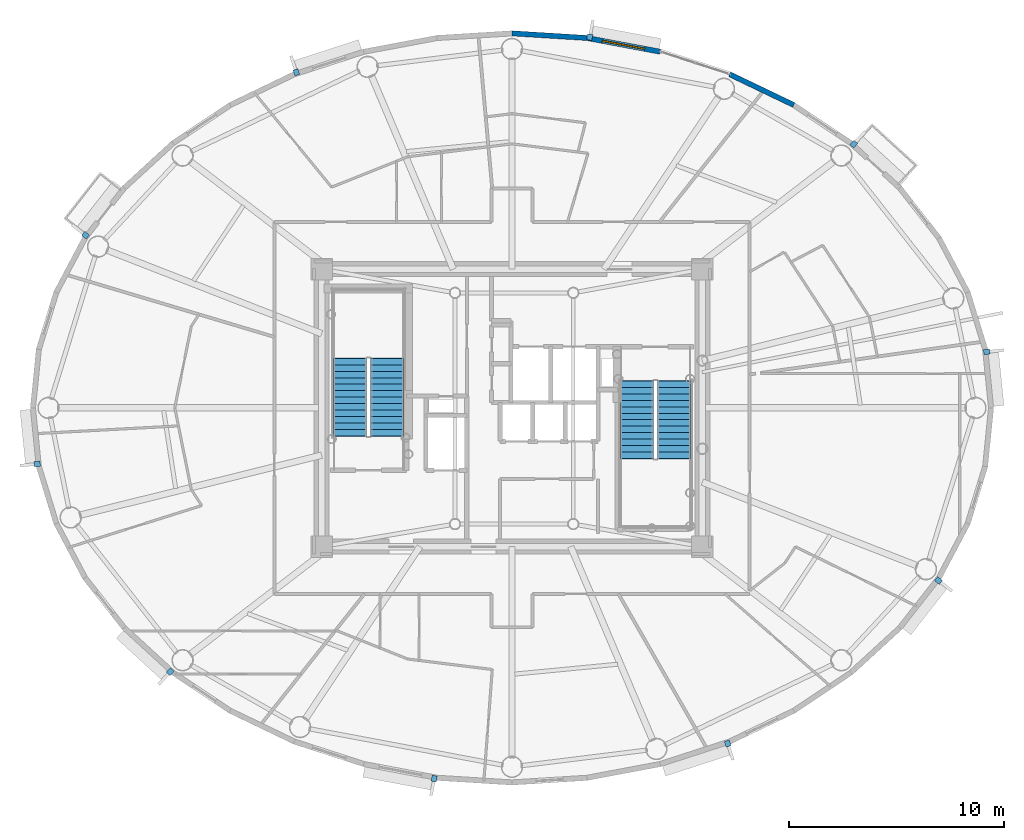
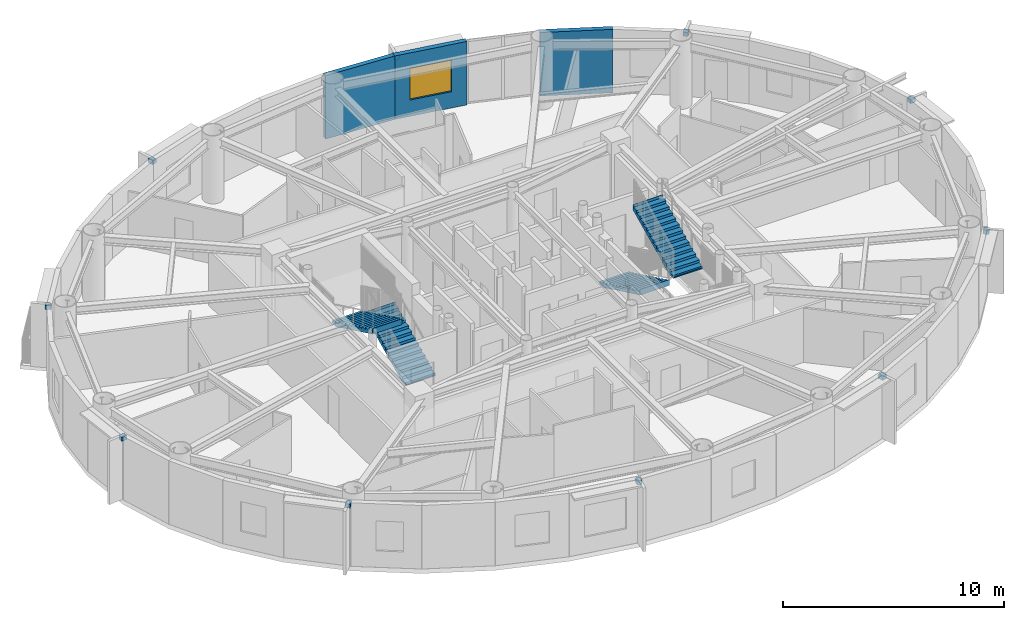
# One storey, part 10 of 17: 10 discrete accessories, 4 stair flights, 3 walls, 1 window, 1 opening, 2 elements without a shape of their own.
"""IFC4 building model written with IfcOpenShell, lengths in metres."""

from ifc_helpers import new_model, si_unit, direction, frame, frame_2d, origin, origin_2d, place, context, subcontext, project, spatial, polyline, rectangle, outline, extrude, source, transform, mapped, material, layer, layer_set, type_object, element, fill, aggregate, save


model = new_model("IFC4")

# Units and contexts
model_context = context("Model", 3, precision=1e-05, world=origin(), true_north=direction((0.0, 1.0)))
body_context = subcontext(model_context, "Body", "Model", "MODEL_VIEW")
ifc_project = project(units=[si_unit("LENGTHUNIT", "METRE"), si_unit("AREAUNIT", "SQUARE_METRE"), si_unit("VOLUMEUNIT", "CUBIC_METRE"), si_unit("PLANEANGLEUNIT", "RADIAN"), si_unit("MASSUNIT", "GRAM", prefix="KILO")], contexts=[model_context])

# Site, building, storey
site_placement = place(None, origin())
site = spatial("IfcSite", under=ifc_project, at=site_placement, CompositionType="ELEMENT")
building_placement = place(site_placement, origin())
building = spatial("IfcBuilding", under=site, at=building_placement, Name="Linh Dai School and Residence Tower", CompositionType="ELEMENT")
storey_placement = place(building_placement, frame((0.0, 0.0, 276.75)))
storey = spatial("IfcBuildingStorey", under=building, at=storey_placement, Name="L68", CompositionType="ELEMENT", Elevation=276.75)

# Wall
ifc_material_1 = material(Name="Precast Concrete B45 (C35/45)", Category="concrete")
ifc_layer = layer(ifc_material_1, 0.239990234375)
ifc_layer_set = layer_set([ifc_layer], Name="Precast Concrete B45 (C35/45)")
wall_type = type_object("IfcWallType", Name="EW-TC-240", PredefinedType="SOLIDWALL", material=ifc_layer_set)
wall_1_placement = place(storey_placement, frame((46.123046875, 42.51220703125, 0.0), z_axis=(0.0, 0.0, 1.0), x_axis=(0.901573741254, -0.43262546051, 0.0)))
element("IfcWall", 1, at=wall_1_placement, inside=storey, type_object=wall_type, Name="L68 Terracotta Exterior Wall 07", PredefinedType="SOLIDWALL", context=body_context, shape_type="SweptSolid", body=[
    extrude(rectangle(XDim=3.306884765625, YDim=0.239990234375, at=frame_2d((1.6533203125, 0.0))), origin(), (0.0, 0.0, 1.0), 3.5),
])

# Wall, opening, window
wall_2_placement = place(storey_placement, frame((39.48876953125, 44.199951171875, 0.0), z_axis=(0.0, 0.0, 1.0), x_axis=(0.982782655757, -0.184765395959, 0.0)))
wall_2 = element("IfcWall", 2, at=wall_2_placement, inside=storey, type_object=wall_type, Name="L68 Terracotta Exterior Wall 09", PredefinedType="SOLIDWALL", context=body_context, shape_type="SweptSolid", body=[
    extrude(rectangle(XDim=3.4619140625, YDim=0.239990234375, at=frame_2d((1.73095703125, 0.0))), origin(), (0.0, 0.0, 1.0), 3.5),
])
opening_placement = place(wall_2_placement, frame((0.73095703125, 0.0, 0.89990234375)))
opening = element("IfcOpeningElement", 3, at=opening_placement, cuts=wall_2, Name="Opening W1", PredefinedType="OPENING", context=body_context, shape_type="SweptSolid", body=[
    extrude(rectangle(XDim=2.0, YDim=1.75, at=origin_2d()), frame((1.0, 0.1298828125, 0.875), z_axis=(0.0, -1.0, 0.0), x_axis=(1.0, 0.0, 0.0)), (0.0, 0.0, 1.0), 0.260009765625),
])
ifc_material_2 = material(Name="Double Low-E Insulated Glazing", Category="glass")
window_type = type_object("IfcWindowType", Name="WN-RES-2000x1750", PartitioningType="DOUBLE_PANEL_VERTICAL", PredefinedType="WINDOW", material=ifc_material_2)
shared_shape_1 = source(origin(), body_context, "Body", "SweptSolid", [
    extrude(rectangle(XDim=2.0, YDim=1.75, at=origin_2d()), frame((1.0, 0.030029296875, 0.875), z_axis=(0.0, -1.0, 0.0), x_axis=(1.0, 0.0, 0.0)), (0.0, 0.0, 1.0), 0.06005859375),
])
window_placement = place(opening_placement, origin())
window = element("IfcWindow", 4, at=window_placement, inside=storey, type_object=window_type, Name="L68 Exterior Window 09.1", OverallHeight=1.75, OverallWidth=2.0, PartitioningType="DOUBLE_PANEL_VERTICAL", PredefinedType="WINDOW", context=body_context, shape_type="MappedRepresentation", body=[
    mapped(shared_shape_1, transform((0.0, 0.0, 0.0), x_axis=(1.0, 0.0, 0.0), y_axis=(0.0, 1.0, 0.0), z_axis=(0.0, 0.0, 1.0), scale=1.0)),
])
fill(opening, window)

# Wall
wall_3_placement = place(storey_placement, frame((36.0, 44.4150390625, 0.0), z_axis=(0.0, 0.0, 1.0), x_axis=(0.998104946479, -0.061534671648, 0.0)))
element("IfcWall", 5, at=wall_3_placement, inside=storey, type_object=wall_type, Name="L68 Terracotta Exterior Wall 10", PredefinedType="SOLIDWALL", context=body_context, shape_type="SweptSolid", body=[
    extrude(rectangle(XDim=3.495361328125, YDim=0.239990234375, at=frame_2d((1.74755859375, 0.0))), origin(), (0.0, 0.0, 1.0), 3.5),
])

# Stair, stair flights
ifc_material_3 = material(Name="Concrete B45 (C35/45)", Category="concrete")
stair_type = type_object("IfcStairType", Name="ST-DOG-1550-R1442", PredefinedType="HALF_TURN_STAIR", material=ifc_material_3)
stair_1_placement = place(storey_placement, origin())
stair_1 = element("IfcStair", 6, at=stair_1_placement, inside=storey, type_object=stair_type, Name="L68 Core Smokeproof Exit Stair ST1", PredefinedType="HALF_TURN_STAIR")
stair_flight_type = type_object("IfcStairFlightType", Name="STF-STR-1550-R1442", PredefinedType="STRAIGHT", material=ifc_material_3)
shared_shape_2 = source(origin(), body_context, "Body", "SweptSolid", [
    extrude(outline(polyline([(-0.02490234375, 0.0), (-0.02490234375, 0.06005859375), (0.0, 0.06005859375), (0.0, 0.144287109375), (0.300048828125, 0.144287109375), (0.300048828125, 0.28857421875), (0.60009765625, 0.28857421875), (0.60009765625, 0.4326171875), (0.89990234375, 0.4326171875), (0.89990234375, 0.576904296875), (1.199951171875, 0.576904296875), (1.199951171875, 0.72119140625), (1.5, 0.72119140625), (1.5, 0.865478515625), (1.800048828125, 0.865478515625), (1.800048828125, 1.009521484375), (2.10009765625, 1.009521484375), (2.10009765625, 1.15380859375), (2.39990234375, 1.15380859375), (2.39990234375, 1.298095703125), (2.699951171875, 1.298095703125), (2.699951171875, 1.4423828125), (3.0, 1.4423828125), (3.0, 1.58642578125), (3.300048828125, 1.58642578125), (3.300048828125, 1.730712890625), (3.60009765625, 1.730712890625), (3.60009765625, 1.875), (3.625, 1.875), (3.625, 1.564453125), (3.60009765625, 1.564453125), (0.345947265625, 0.0), (-0.02490234375, 0.0)])), frame((0.0, 0.77490234375, 0.0), z_axis=(0.0, -1.0, 0.0), x_axis=(1.0, 0.0, 0.0)), (0.0, 0.0, 1.0), 1.550048828125),
])
stair_flight_1_placement = place(storey_placement, frame((30.205078125, 25.699951171875, 0.0), z_axis=(0.0, 0.0, 1.0), x_axis=(0.0, 1.0, 0.0)))
stair_flight_1 = element("IfcStairFlight", 7, at=stair_flight_1_placement, type_object=stair_flight_type, Name="ST1 flight 1", NumberOfRisers=13, NumberOfTreads=12, PredefinedType="STRAIGHT", RiserHeight=0.144230769, TreadLength=0.3, context=body_context, shape_type="MappedRepresentation", body=[
    mapped(shared_shape_2, transform((0.0, 0.0, 0.0), x_axis=(1.0, 0.0, 0.0), y_axis=(0.0, 1.0, 0.0), z_axis=(0.0, 0.0, 1.0), scale=1.0)),
])
stair_flight_2_placement = place(storey_placement, frame((28.455078125, 29.300048828125, 1.875), z_axis=(0.0, 0.0, 1.0), x_axis=(0.0, -1.0, 0.0)))
stair_flight_2 = element("IfcStairFlight", 8, at=stair_flight_2_placement, type_object=stair_flight_type, Name="ST1 flight 2", NumberOfRisers=13, NumberOfTreads=12, PredefinedType="STRAIGHT", RiserHeight=0.144230769, TreadLength=0.3, context=body_context, shape_type="MappedRepresentation", body=[
    mapped(shared_shape_2, transform((0.0, 0.0, 0.0), x_axis=(1.0, 0.0, 0.0), y_axis=(0.0, 1.0, 0.0), z_axis=(0.0, 0.0, 1.0), scale=1.0)),
])
aggregate(stair_1, [stair_flight_1, stair_flight_2])

stair_2_placement = place(storey_placement, origin())
stair_2 = element("IfcStair", 9, at=stair_2_placement, inside=storey, type_object=stair_type, Name="L68 Core Smokeproof Exit Stair ST2", PredefinedType="HALF_TURN_STAIR")
stair_flight_3_placement = place(storey_placement, frame((41.794921875, 28.25, 0.0), z_axis=(0.0, 0.0, 1.0), x_axis=(0.0, -1.0, 0.0)))
stair_flight_3 = element("IfcStairFlight", 10, at=stair_flight_3_placement, type_object=stair_flight_type, Name="ST2 flight 1", NumberOfRisers=13, NumberOfTreads=12, PredefinedType="STRAIGHT", RiserHeight=0.144230769, TreadLength=0.3, context=body_context, shape_type="MappedRepresentation", body=[
    mapped(shared_shape_2, transform((0.0, 0.0, 0.0), x_axis=(1.0, 0.0, 0.0), y_axis=(0.0, 1.0, 0.0), z_axis=(0.0, 0.0, 1.0), scale=1.0)),
])
stair_flight_4_placement = place(storey_placement, frame((43.544921875, 24.64990234375, 1.875), z_axis=(0.0, 0.0, 1.0), x_axis=(0.0, 1.0, 0.0)))
stair_flight_4 = element("IfcStairFlight", 11, at=stair_flight_4_placement, type_object=stair_flight_type, Name="ST2 flight 2", NumberOfRisers=13, NumberOfTreads=12, PredefinedType="STRAIGHT", RiserHeight=0.144230769, TreadLength=0.3, context=body_context, shape_type="MappedRepresentation", body=[
    mapped(shared_shape_2, transform((0.0, 0.0, 0.0), x_axis=(1.0, 0.0, 0.0), y_axis=(0.0, 1.0, 0.0), z_axis=(0.0, 0.0, 1.0), scale=1.0)),
])
aggregate(stair_2, [stair_flight_3, stair_flight_4])

# Discrete accessories
ifc_material_4 = material(Name="Structural Steel S355JR", Category="steel")
discrete_accessory_type = type_object("IfcDiscreteAccessoryType", Name="ACC-BRK-S355", PredefinedType="BRACKET", material=ifc_material_4)
shared_shape_3 = source(origin(), body_context, "Body", "SweptSolid", [
    extrude(rectangle(XDim=0.280029296875, YDim=0.239990234375, at=origin_2d()), origin(), (0.0, 0.0, 1.0), 0.219970703125),
])
for number, where, z_axis, x_axis, name in (
    (12, (58.073486328125, 29.605712890625, 3.25), (0.0, 0.0, 1.0), (0.994986629598, 0.100008034283, 0.0), "L68 Facade Frame Anchor Bracket 01"),
    (13, (51.89111328125, 39.267333984375, 3.25), (0.0, 0.0, 1.0), (0.67577730889, 0.737105846394, 0.0), "L68 Facade Frame Anchor Bracket 05"),
    (14, (39.61767578125, 44.23681640625, 3.25), (0.0, 0.0, 1.0), (0.184751197452, 0.982785325002, 0.0), "L68 Facade Frame Anchor Bracket 09"),
    (15, (25.97265625, 42.606201171875, 3.25), (0.0, 0.0, 1.0), (-0.308518805176, 0.951218243545, 0.0), "L68 Facade Frame Anchor Bracket 13"),
    (16, (16.1728515625, 35.0263671875, 3.25), (0.0, 0.0, 1.0), (-0.78750300393, 0.616310813471, 0.0), "L68 Facade Frame Anchor Bracket 17"),
    (17, (13.926513671875, 24.394287109375, 3.25), (0.0, 0.0, 1.0), (-0.994986629598, -0.100008034283, 0.0), "L68 Facade Frame Anchor Bracket 21"),
    (18, (20.10888671875, 14.732666015625, 3.25), (0.0, 0.0, 1.0), (-0.675779074535, -0.737104227651, 0.0), "L68 Facade Frame Anchor Bracket 25"),
    (19, (32.38232421875, 9.76318359375, 3.25), (0.0, 0.0, 1.0), (-0.184751197452, -0.982785325002, 0.0), "L68 Facade Frame Anchor Bracket 29"),
    (20, (46.02734375, 11.393798828125, 3.25), (0.0, 0.0, 1.0), (0.308518805176, -0.951218243545, 0.0), "L68 Facade Frame Anchor Bracket 33"),
    (21, (55.8271484375, 18.9736328125, 3.25), (0.0, 0.0, 1.0), (0.78750300393, -0.616310813471, 0.0), "L68 Facade Frame Anchor Bracket 37"),
):
    element("IfcDiscreteAccessory", number, at=place(storey_placement, frame(where, z_axis=z_axis, x_axis=x_axis)), inside=storey, type_object=discrete_accessory_type, Name=name, PredefinedType="BRACKET", context=body_context, shape_type="MappedRepresentation", body=[
        mapped(shared_shape_3, transform((0.0, 0.0, 0.0), x_axis=(1.0, 0.0, 0.0), y_axis=(0.0, 1.0, 0.0), z_axis=(0.0, 0.0, 1.0), scale=1.0)),
    ])

save(model, "model.ifc")
